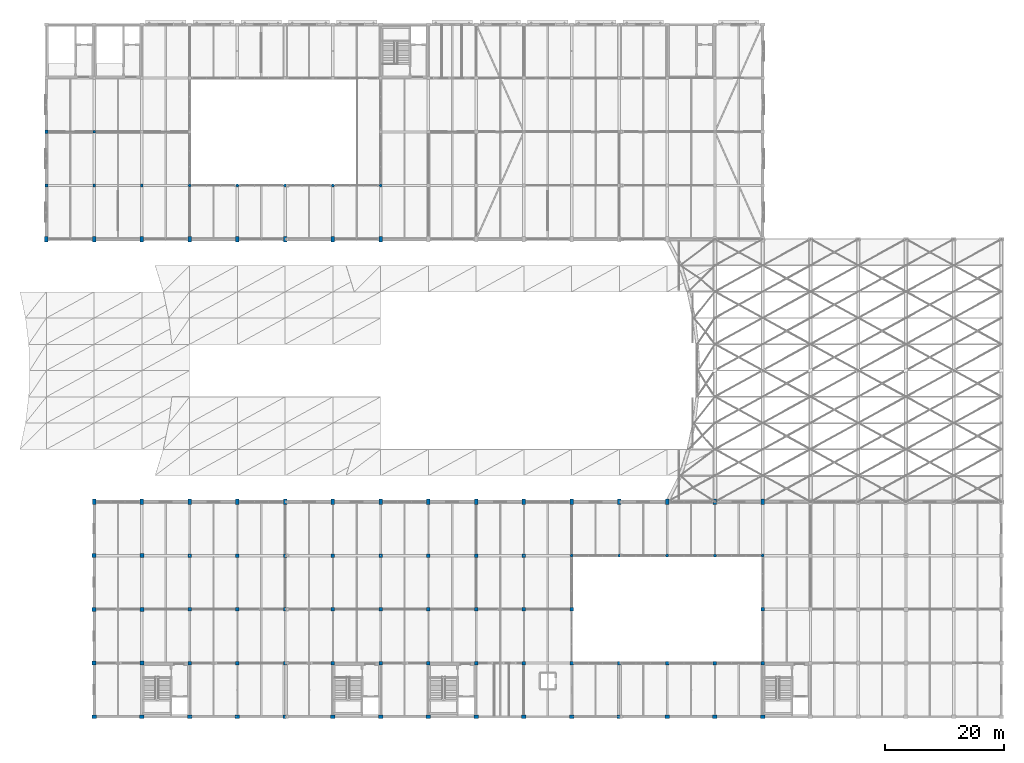
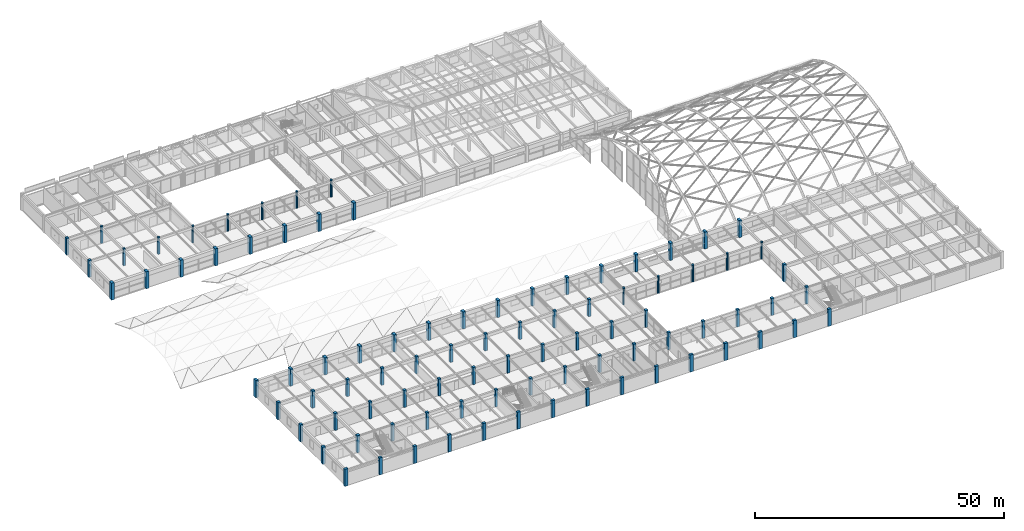
# One storey, part 1 of 126: 90 columns.
"""IFC4 building model written with IfcOpenShell, lengths in metres."""

from ifc_helpers import new_model, si_unit, direction, frame, origin, origin_2d, place, context, subcontext, project, spatial, rectangle, circle, extrude, material, material_profile, profile_set, type_object, element, save


model = new_model("IFC4")

# Units and contexts
model_context = context("Model", 3, precision=1e-05, world=origin(), true_north=direction((0.0, 1.0)))
body_context = subcontext(model_context, "Body", "Model", "MODEL_VIEW")
ifc_project = project(units=[si_unit("LENGTHUNIT", "METRE"), si_unit("AREAUNIT", "SQUARE_METRE"), si_unit("VOLUMEUNIT", "CUBIC_METRE"), si_unit("PLANEANGLEUNIT", "RADIAN"), si_unit("MASSUNIT", "GRAM", prefix="KILO")], contexts=[model_context])

# Site, building, storey
site_placement = place(None, origin())
site = spatial("IfcSite", under=ifc_project, at=site_placement, CompositionType="ELEMENT")
building_placement = place(site_placement, origin())
building = spatial("IfcBuilding", under=site, at=building_placement, Name="Varnabhumi Central Station", CompositionType="ELEMENT")
storey_placement = place(building_placement, frame((0.0, 0.0, 16.199951171875)))
storey = spatial("IfcBuildingStorey", under=building, at=storey_placement, Name="L03", CompositionType="ELEMENT", Elevation=16.199951171875)

# Columns
ifc_material = material(Name="Concrete M40", Category="concrete")
ifc_material_profile_1 = material_profile(ifc_material, rectangle(XDim=0.449951171875, YDim=0.449951171875, at=origin_2d()), Name="Concrete M40", Category="concrete")
ifc_profile_set_1 = profile_set([ifc_material_profile_1], Name="Concrete M40")
column_type_1 = type_object("IfcColumnType", Name="COL-RC-450", PredefinedType="COLUMN", material=ifc_profile_set_1)
for number, where, z_axis, x_axis, name in (
    (1, (32.0, 89.0, 0.0), (0.0, 0.0, 1.0), (1.0, 0.0, 0.0), "Column L03-5L"),
    (2, (32.0, 98.0, 0.0), (0.0, 0.0, 1.0), (1.0, 0.0, 0.0), "Column L03-5M"),
    (3, (40.0, 89.0, 0.0), (0.0, 0.0, 1.0), (1.0, 0.0, 0.0), "Column L03-6L"),
):
    element("IfcColumn", number, at=place(storey_placement, frame(where, z_axis=z_axis, x_axis=x_axis)), inside=storey, type_object=column_type_1, Name=name, PredefinedType="COLUMN", context=body_context, shape_type="SweptSolid", body=[
        extrude(rectangle(XDim=0.449951171875, YDim=0.449951171875, at=origin_2d()), origin(), (0.0, 0.0, 1.0), 4.199951171875),
    ])
ifc_material_profile_2 = material_profile(ifc_material, rectangle(XDim=0.550048828125, YDim=0.550048828125, at=origin_2d()), Name="Concrete M40", Category="concrete")
ifc_profile_set_2 = profile_set([ifc_material_profile_2], Name="Concrete M40")
column_type_2 = type_object("IfcColumnType", Name="COL-RC-550", PredefinedType="COLUMN", material=ifc_profile_set_2)
for number, where, z_axis, x_axis, name in (
    (4, (24.0, 89.0, 0.0), (0.0, 0.0, 1.0), (1.0, 0.0, 0.0), "Column L03-4L"),
    (5, (24.0, 98.0, 0.0), (0.0, 0.0, 1.0), (1.0, 0.0, 0.0), "Column L03-4M"),
):
    element("IfcColumn", number, at=place(storey_placement, frame(where, z_axis=z_axis, x_axis=x_axis)), inside=storey, type_object=column_type_2, Name=name, PredefinedType="COLUMN", context=body_context, shape_type="SweptSolid", body=[
        extrude(rectangle(XDim=0.550048828125, YDim=0.550048828125, at=origin_2d()), origin(), (0.0, 0.0, 1.0), 4.199951171875),
    ])
ifc_material_profile_3 = material_profile(ifc_material, rectangle(XDim=0.64990234375, YDim=0.64990234375, at=origin_2d()), Name="Concrete M40", Category="concrete")
ifc_profile_set_3 = profile_set([ifc_material_profile_3], Name="Concrete M40")
column_type_3 = type_object("IfcColumnType", Name="COL-RC-650", PredefinedType="COLUMN", material=ifc_profile_set_3)
for number, where, z_axis, x_axis, name in (
    (6, (32.0, 9.0, 0.0), (0.0, 0.0, 1.0), (1.0, 0.0, 0.0), "Column L03-5B"),
    (7, (32.0, 18.0, 0.0), (0.0, 0.0, 1.0), (1.0, 0.0, 0.0), "Column L03-5C"),
    (8, (32.0, 27.0, 0.0), (0.0, 0.0, 1.0), (1.0, 0.0, 0.0), "Column L03-5D"),
    (9, (40.0, 9.0, 0.0), (0.0, 0.0, 1.0), (1.0, 0.0, 0.0), "Column L03-6B"),
    (10, (40.0, 18.0, 0.0), (0.0, 0.0, 1.0), (1.0, 0.0, 0.0), "Column L03-6C"),
    (11, (40.0, 27.0, 0.0), (0.0, 0.0, 1.0), (1.0, 0.0, 0.0), "Column L03-6D"),
):
    element("IfcColumn", number, at=place(storey_placement, frame(where, z_axis=z_axis, x_axis=x_axis)), inside=storey, type_object=column_type_3, Name=name, PredefinedType="COLUMN", context=body_context, shape_type="SweptSolid", body=[
        extrude(rectangle(XDim=0.64990234375, YDim=0.64990234375, at=origin_2d()), origin(), (0.0, 0.0, 1.0), 4.199951171875),
    ])
ifc_material_profile_4 = material_profile(ifc_material, rectangle(XDim=0.75, YDim=0.550048828125, at=origin_2d()), Name="Concrete M40", Category="concrete")
ifc_profile_set_4 = profile_set([ifc_material_profile_4], Name="Concrete M40")
column_type_4 = type_object("IfcColumnType", Name="COL-RC-750x550", PredefinedType="PILASTER", material=ifc_profile_set_4)
for number, where, z_axis, x_axis, name in (
    (12, (32.0, 0.0, 0.0), (0.0, 0.0, 1.0), (1.0, 0.0, 0.0), "Column L03-5A"),
    (13, (40.0, 0.0, 0.0), (0.0, 0.0, 1.0), (1.0, 0.0, 0.0), "Column L03-6A"),
    (14, (48.0, 0.0, 0.0), (0.0, 0.0, 1.0), (1.0, 0.0, 0.0), "Column L03-7A"),
    (15, (56.0, 0.0, 0.0), (0.0, 0.0, 1.0), (1.0, 0.0, 0.0), "Column L03-8A"),
    (16, (64.0, 0.0, 0.0), (0.0, 0.0, 1.0), (1.0, 0.0, 0.0), "Column L03-9A"),
    (17, (72.0, 0.0, 0.0), (0.0, 0.0, 1.0), (1.0, 0.0, 0.0), "Column L03-10A"),
    (18, (80.0, 0.0, 0.0), (0.0, 0.0, 1.0), (1.0, 0.0, 0.0), "Column L03-11A"),
    (19, (88.0, 0.0, 0.0), (0.0, 0.0, 1.0), (1.0, 0.0, 0.0), "Column L03-12A"),
    (20, (96.0, 0.0, 0.0), (0.0, 0.0, 1.0), (1.0, 0.0, 0.0), "Column L03-13A"),
    (21, (104.0, 0.0, 0.0), (0.0, 0.0, 1.0), (1.0, 0.0, 0.0), "Column L03-14A"),
    (22, (112.0, 0.0, 0.0), (0.0, 0.0, 1.0), (1.0, 0.0, 0.0), "Column L03-15A"),
    (23, (120.0, 0.0, 0.0), (0.0, 0.0, 1.0), (1.0, 0.0, 0.0), "Column L03-16A"),
    (24, (128.0, 0.0, 0.0), (0.0, 0.0, 1.0), (1.0, 0.0, 0.0), "Column L03-17A"),
    (25, (136.0, 0.0, 0.0), (0.0, 0.0, 1.0), (1.0, 0.0, 0.0), "Column L03-18A"),
    (26, (144.0, 0.0, 0.0), (0.0, 0.0, 1.0), (1.0, 0.0, 0.0), "Column L03-19A"),
):
    element("IfcColumn", number, at=place(storey_placement, frame(where, z_axis=z_axis, x_axis=x_axis)), inside=storey, type_object=column_type_4, Name=name, PredefinedType="PILASTER", context=body_context, shape_type="SweptSolid", body=[
        extrude(rectangle(XDim=0.75, YDim=0.550048828125, at=origin_2d()), origin(), (0.0, 0.0, 1.0), 4.199951171875),
    ])
ifc_material_profile_5 = material_profile(ifc_material, circle(Radius=0.25, at=origin_2d()), Name="Concrete M40", Category="concrete")
ifc_profile_set_5 = profile_set([ifc_material_profile_5], Name="Concrete M40")
column_type_5 = type_object("IfcColumnType", Name="COL-RC-D500", PredefinedType="COLUMN", material=ifc_profile_set_5)
for number, where, z_axis, x_axis, name in (
    (27, (48.0, 89.0, 0.0), (0.0, 0.0, 1.0), (1.0, 0.0, 0.0), "Column L03-7L"),
    (28, (56.0, 89.0, 0.0), (0.0, 0.0, 1.0), (1.0, 0.0, 0.0), "Column L03-8L"),
    (29, (64.0, 89.0, 0.0), (0.0, 0.0, 1.0), (1.0, 0.0, 0.0), "Column L03-9L"),
    (30, (72.0, 89.0, 0.0), (0.0, 0.0, 1.0), (1.0, 0.0, 0.0), "Column L03-10L"),
    (31, (80.0, 89.0, 0.0), (0.0, 0.0, 1.0), (1.0, 0.0, 0.0), "Column L03-11L"),
    (32, (112.0, 27.0, 0.0), (0.0, 0.0, 1.0), (1.0, 0.0, 0.0), "Column L03-15D"),
    (33, (120.0, 27.0, 0.0), (0.0, 0.0, 1.0), (1.0, 0.0, 0.0), "Column L03-16D"),
    (34, (128.0, 27.0, 0.0), (0.0, 0.0, 1.0), (1.0, 0.0, 0.0), "Column L03-17D"),
    (35, (136.0, 27.0, 0.0), (0.0, 0.0, 1.0), (1.0, 0.0, 0.0), "Column L03-18D"),
    (36, (144.0, 27.0, 0.0), (0.0, 0.0, 1.0), (1.0, 0.0, 0.0), "Column L03-19D"),
):
    element("IfcColumn", number, at=place(storey_placement, frame(where, z_axis=z_axis, x_axis=x_axis)), inside=storey, type_object=column_type_5, Name=name, PredefinedType="COLUMN", context=body_context, shape_type="SweptSolid", body=[
        extrude(circle(Radius=0.25, at=origin_2d()), origin(), (0.0, 0.0, 1.0), 4.199951171875),
    ])
ifc_material_profile_6 = material_profile(ifc_material, rectangle(XDim=0.60009765625, YDim=0.60009765625, at=origin_2d()), Name="Concrete M40", Category="concrete")
ifc_profile_set_6 = profile_set([ifc_material_profile_6], Name="Concrete M40")
column_type_6 = type_object("IfcColumnType", Name="COL-SOUTH-600", PredefinedType="COLUMN", material=ifc_profile_set_6)
for number, where, z_axis, x_axis, name in (
    (37, (48.0, 9.0, 0.0), (0.0, 0.0, 1.0), (1.0, 0.0, 0.0), "Column L03-7B"),
    (38, (48.0, 18.0, 0.0), (0.0, 0.0, 1.0), (1.0, 0.0, 0.0), "Column L03-7C"),
    (39, (48.0, 27.0, 0.0), (0.0, 0.0, 1.0), (1.0, 0.0, 0.0), "Column L03-7D"),
    (40, (56.0, 9.0, 0.0), (0.0, 0.0, 1.0), (1.0, 0.0, 0.0), "Column L03-8B"),
    (41, (56.0, 18.0, 0.0), (0.0, 0.0, 1.0), (1.0, 0.0, 0.0), "Column L03-8C"),
    (42, (56.0, 27.0, 0.0), (0.0, 0.0, 1.0), (1.0, 0.0, 0.0), "Column L03-8D"),
    (43, (64.0, 9.0, 0.0), (0.0, 0.0, 1.0), (1.0, 0.0, 0.0), "Column L03-9B"),
    (44, (64.0, 18.0, 0.0), (0.0, 0.0, 1.0), (1.0, 0.0, 0.0), "Column L03-9C"),
    (45, (64.0, 27.0, 0.0), (0.0, 0.0, 1.0), (1.0, 0.0, 0.0), "Column L03-9D"),
    (46, (72.0, 9.0, 0.0), (0.0, 0.0, 1.0), (1.0, 0.0, 0.0), "Column L03-10B"),
    (47, (72.0, 18.0, 0.0), (0.0, 0.0, 1.0), (1.0, 0.0, 0.0), "Column L03-10C"),
    (48, (72.0, 27.0, 0.0), (0.0, 0.0, 1.0), (1.0, 0.0, 0.0), "Column L03-10D"),
    (49, (80.0, 9.0, 0.0), (0.0, 0.0, 1.0), (1.0, 0.0, 0.0), "Column L03-11B"),
    (50, (80.0, 18.0, 0.0), (0.0, 0.0, 1.0), (1.0, 0.0, 0.0), "Column L03-11C"),
    (51, (80.0, 27.0, 0.0), (0.0, 0.0, 1.0), (1.0, 0.0, 0.0), "Column L03-11D"),
    (52, (88.0, 9.0, 0.0), (0.0, 0.0, 1.0), (1.0, 0.0, 0.0), "Column L03-12B"),
    (53, (88.0, 18.0, 0.0), (0.0, 0.0, 1.0), (1.0, 0.0, 0.0), "Column L03-12C"),
    (54, (88.0, 27.0, 0.0), (0.0, 0.0, 1.0), (1.0, 0.0, 0.0), "Column L03-12D"),
    (55, (96.0, 9.0, 0.0), (0.0, 0.0, 1.0), (1.0, 0.0, 0.0), "Column L03-13B"),
    (56, (96.0, 18.0, 0.0), (0.0, 0.0, 1.0), (1.0, 0.0, 0.0), "Column L03-13C"),
    (57, (96.0, 27.0, 0.0), (0.0, 0.0, 1.0), (1.0, 0.0, 0.0), "Column L03-13D"),
    (58, (104.0, 9.0, 0.0), (0.0, 0.0, 1.0), (1.0, 0.0, 0.0), "Column L03-14B"),
    (59, (104.0, 18.0, 0.0), (0.0, 0.0, 1.0), (1.0, 0.0, 0.0), "Column L03-14C"),
    (60, (104.0, 27.0, 0.0), (0.0, 0.0, 1.0), (1.0, 0.0, 0.0), "Column L03-14D"),
    (61, (112.0, 9.0, 0.0), (0.0, 0.0, 1.0), (1.0, 0.0, 0.0), "Column L03-15B"),
    (62, (112.0, 18.0, 0.0), (0.0, 0.0, 1.0), (1.0, 0.0, 0.0), "Column L03-15C"),
    (63, (120.0, 9.0, 0.0), (0.0, 0.0, 1.0), (1.0, 0.0, 0.0), "Column L03-16B"),
    (64, (128.0, 9.0, 0.0), (0.0, 0.0, 1.0), (1.0, 0.0, 0.0), "Column L03-17B"),
    (65, (136.0, 9.0, 0.0), (0.0, 0.0, 1.0), (1.0, 0.0, 0.0), "Column L03-18B"),
    (66, (144.0, 9.0, 0.0), (0.0, 0.0, 1.0), (1.0, 0.0, 0.0), "Column L03-19B"),
    (67, (144.0, 18.0, 0.0), (0.0, 0.0, 1.0), (1.0, 0.0, 0.0), "Column L03-19C"),
):
    element("IfcColumn", number, at=place(storey_placement, frame(where, z_axis=z_axis, x_axis=x_axis)), inside=storey, type_object=column_type_6, Name=name, PredefinedType="COLUMN", context=body_context, shape_type="SweptSolid", body=[
        extrude(rectangle(XDim=0.60009765625, YDim=0.60009765625, at=origin_2d()), origin(), (0.0, 0.0, 1.0), 4.199951171875),
    ])
ifc_material_profile_7 = material_profile(ifc_material, rectangle(XDim=0.60009765625, YDim=0.89990234375, at=origin_2d()), Name="Concrete M40", Category="concrete")
ifc_profile_set_7 = profile_set([ifc_material_profile_7], Name="Concrete M40")
column_type_7 = type_object("IfcColumnType", Name="COL-SPINE-M40-900x600", PredefinedType="COLUMN", material=ifc_profile_set_7)
for number, where, z_axis, x_axis, name in (
    (68, (24.0, 80.0, 0.0), (0.0, 0.0, 1.0), (1.0, 0.0, 0.0), "Column L03-4K"),
    (69, (32.0, 36.0, 0.0), (0.0, 0.0, 1.0), (1.0, 0.0, 0.0), "Column L03-5E"),
    (70, (32.0, 80.0, 0.0), (0.0, 0.0, 1.0), (1.0, 0.0, 0.0), "Column L03-5K"),
    (71, (40.0, 36.0, 0.0), (0.0, 0.0, 1.0), (1.0, 0.0, 0.0), "Column L03-6E"),
    (72, (40.0, 80.0, 0.0), (0.0, 0.0, 1.0), (1.0, 0.0, 0.0), "Column L03-6K"),
    (73, (48.0, 36.0, 0.0), (0.0, 0.0, 1.0), (1.0, 0.0, 0.0), "Column L03-7E"),
    (74, (48.0, 80.0, 0.0), (0.0, 0.0, 1.0), (1.0, 0.0, 0.0), "Column L03-7K"),
    (75, (56.0, 36.0, 0.0), (0.0, 0.0, 1.0), (1.0, 0.0, 0.0), "Column L03-8E"),
    (76, (56.0, 80.0, 0.0), (0.0, 0.0, 1.0), (1.0, 0.0, 0.0), "Column L03-8K"),
    (77, (64.0, 36.0, 0.0), (0.0, 0.0, 1.0), (1.0, 0.0, 0.0), "Column L03-9E"),
    (78, (64.0, 80.0, 0.0), (0.0, 0.0, 1.0), (1.0, 0.0, 0.0), "Column L03-9K"),
    (79, (72.0, 36.0, 0.0), (0.0, 0.0, 1.0), (1.0, 0.0, 0.0), "Column L03-10E"),
    (80, (72.0, 80.0, 0.0), (0.0, 0.0, 1.0), (1.0, 0.0, 0.0), "Column L03-10K"),
    (81, (80.0, 36.0, 0.0), (0.0, 0.0, 1.0), (1.0, 0.0, 0.0), "Column L03-11E"),
    (82, (80.0, 80.0, 0.0), (0.0, 0.0, 1.0), (1.0, 0.0, 0.0), "Column L03-11K"),
    (83, (88.0, 36.0, 0.0), (0.0, 0.0, 1.0), (1.0, 0.0, 0.0), "Column L03-12E"),
    (84, (96.0, 36.0, 0.0), (0.0, 0.0, 1.0), (1.0, 0.0, 0.0), "Column L03-13E"),
    (85, (104.0, 36.0, 0.0), (0.0, 0.0, 1.0), (1.0, 0.0, 0.0), "Column L03-14E"),
    (86, (112.0, 36.0, 0.0), (0.0, 0.0, 1.0), (1.0, 0.0, 0.0), "Column L03-15E"),
    (87, (120.0, 36.0, 0.0), (0.0, 0.0, 1.0), (1.0, 0.0, 0.0), "Column L03-16E"),
    (88, (128.0, 36.0, 0.0), (0.0, 0.0, 1.0), (1.0, 0.0, 0.0), "Column L03-17E"),
    (89, (136.0, 36.0, 0.0), (0.0, 0.0, 1.0), (1.0, 0.0, 0.0), "Column L03-18E"),
    (90, (144.0, 36.0, 0.0), (0.0, 0.0, 1.0), (1.0, 0.0, 0.0), "Column L03-19E"),
):
    element("IfcColumn", number, at=place(storey_placement, frame(where, z_axis=z_axis, x_axis=x_axis)), inside=storey, type_object=column_type_7, Name=name, PredefinedType="COLUMN", context=body_context, shape_type="SweptSolid", body=[
        extrude(rectangle(XDim=0.60009765625, YDim=0.89990234375, at=origin_2d()), origin(), (0.0, 0.0, 1.0), 4.199951171875),
    ])

save(model, "model.ifc")
